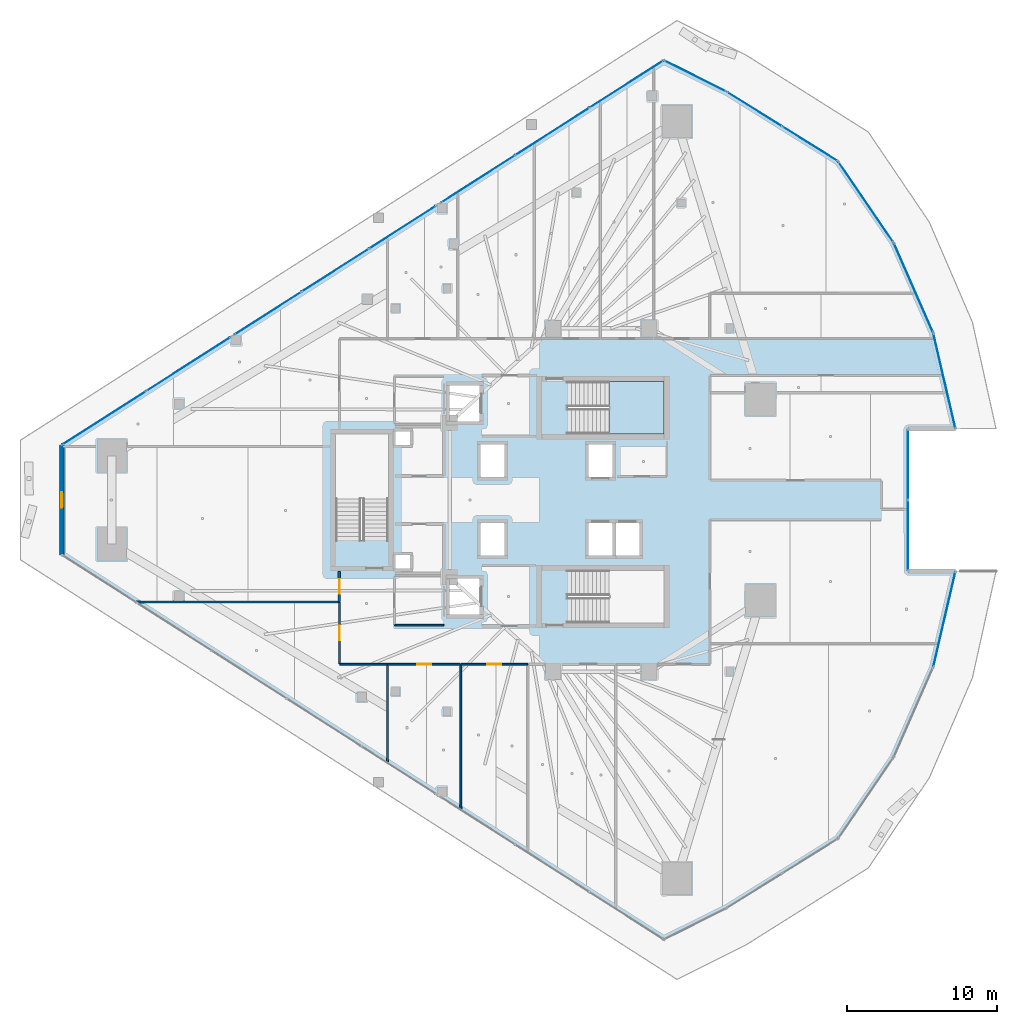
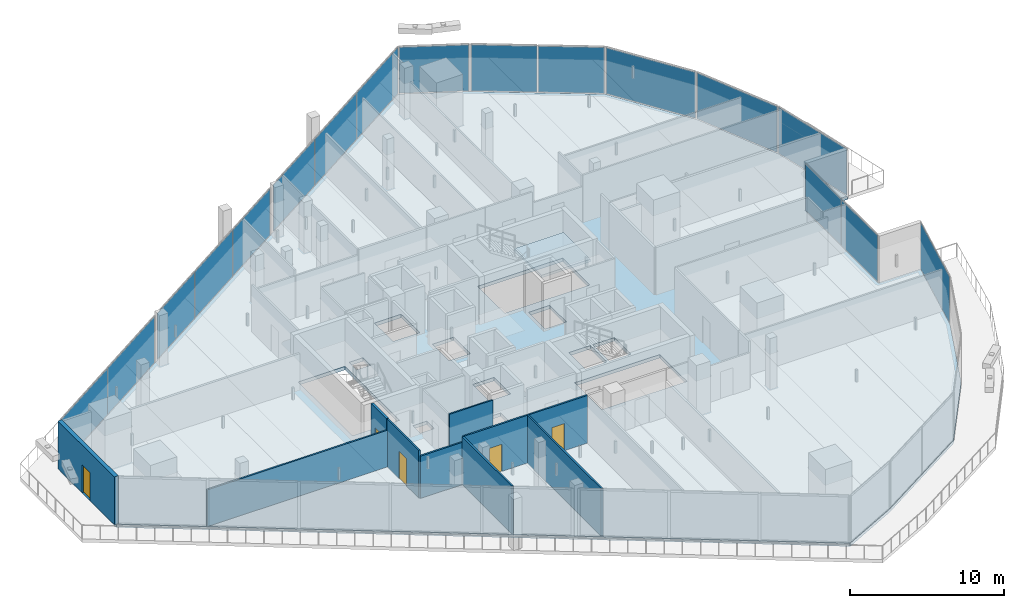
# One storey, part 25 of 39: 17 plates, 10 walls, 5 doors, 2 slabs, 5 openings, 11 elements without a shape of their own.
"""IFC4 building model written with IfcOpenShell, lengths in metres."""

from ifc_helpers import new_model, si_unit, direction, frame, frame_2d, origin, origin_2d, place, context, subcontext, project, spatial, polyline, rectangle, outline, extrude, material, layer, layer_set, type_object, element, fill, aggregate, save


model = new_model("IFC4")

# Units and contexts
model_context = context("Model", 3, precision=1e-05, world=origin(), true_north=direction((0.0, 1.0)))
body_context = subcontext(model_context, "Body", "Model", "MODEL_VIEW")
ifc_project = project(units=[si_unit("LENGTHUNIT", "METRE"), si_unit("AREAUNIT", "SQUARE_METRE"), si_unit("VOLUMEUNIT", "CUBIC_METRE"), si_unit("PLANEANGLEUNIT", "RADIAN"), si_unit("MASSUNIT", "GRAM", prefix="KILO")], contexts=[model_context])

# Site, building, storey
site_placement = place(None, origin())
site = spatial("IfcSite", under=ifc_project, at=site_placement, CompositionType="ELEMENT")
building_placement = place(site_placement, origin())
building = spatial("IfcBuilding", under=site, at=building_placement, Name="Qorvath Tower", CompositionType="ELEMENT")
storey_placement = place(building_placement, frame((0.0, 0.0, 162.449951171875)))
storey = spatial("IfcBuildingStorey", under=building, at=storey_placement, Name="L37", CompositionType="ELEMENT", Elevation=162.449951171875)

# Curtain wall, plate
ifc_material_1 = material(Name="Anodised aluminium and triple low-E glass", Category="aluminium")
ifc_layer_1 = layer(ifc_material_1, 0.179931640625)
ifc_layer_set_1 = layer_set([ifc_layer_1], Name="CW-SYS-3")
curtain_wall_type = type_object("IfcCurtainWallType", Name="CW-SYS-3", PredefinedType="NOTDEFINED", material=ifc_layer_set_1)
curtain_wall_1_placement = place(storey_placement, origin())
curtain_wall_1 = element("IfcCurtainWall", 1, at=curtain_wall_1_placement, inside=storey, type_object=curtain_wall_type, Name="Curtain Wall CW-3 CW-T-L37-7.1", PredefinedType="NOTDEFINED")
ifc_material_2 = material(Name="Low-E triple insulated glass", Category="glass")
ifc_layer_2 = layer(ifc_material_2, 0.031982421875)
ifc_layer_set_2 = layer_set([ifc_layer_2], Name="CWP-GLZ-32")
plate_type = type_object("IfcPlateType", Name="CWP-GLZ-32", PredefinedType="CURTAIN_PANEL", material=ifc_layer_set_2)
plate_1_placement = place(storey_placement, frame((2.50439453125, -7.95263671875, 0.065185546875), z_axis=(0.0, 0.0, 1.0), x_axis=(0.225758614319, 0.974183272316, 0.0)))
plate_1 = element("IfcPlate", 2, at=plate_1_placement, type_object=plate_type, Name="CW-3 panel 1.1", PredefinedType="CURTAIN_PANEL", context=body_context, shape_type="SweptSolid", body=[
    extrude(rectangle(XDim=6.440673828125, YDim=0.031982421875, at=origin_2d()), origin(), (0.0, 0.0, 1.0), 3.64990234375),
])
aggregate(curtain_wall_1, [plate_1])

# Curtain wall, plates
curtain_wall_2_placement = place(storey_placement, origin())
curtain_wall_2 = element("IfcCurtainWall", 3, at=curtain_wall_2_placement, inside=storey, type_object=curtain_wall_type, Name="Curtain Wall CW-3 CW-T-L37-9.1", PredefinedType="NOTDEFINED")
plate_2_placement = place(storey_placement, frame((0.077880859375, -2.35986328125, 0.065185546875), z_axis=(0.0, 0.0, 1.0), x_axis=(0.0, 1.0, 0.0)))
plate_2 = element("IfcPlate", 4, at=plate_2_placement, type_object=plate_type, Name="CW-3 panel 1.1", PredefinedType="CURTAIN_PANEL", context=body_context, shape_type="SweptSolid", body=[
    extrude(rectangle(XDim=4.654541015625, YDim=0.031982421875, at=origin_2d()), origin(), (0.0, 0.0, 1.0), 3.64990234375),
])
plate_3_placement = place(storey_placement, frame((0.077880859375, 2.35986328125, 0.065185546875), z_axis=(0.0, 0.0, 1.0), x_axis=(0.0, 1.0, 0.0)))
plate_3 = element("IfcPlate", 5, at=plate_3_placement, type_object=plate_type, Name="CW-3 panel 2.1", PredefinedType="CURTAIN_PANEL", context=body_context, shape_type="SweptSolid", body=[
    extrude(rectangle(XDim=4.654541015625, YDim=0.031982421875, at=origin_2d()), origin(), (0.0, 0.0, 1.0), 3.64990234375),
])
aggregate(curtain_wall_2, [plate_2, plate_3])

# Curtain wall, plate
curtain_wall_3_placement = place(storey_placement, origin())
curtain_wall_3 = element("IfcCurtainWall", 6, at=curtain_wall_3_placement, inside=storey, type_object=curtain_wall_type, Name="Curtain Wall CW-3 CW-T-L37-11.1", PredefinedType="NOTDEFINED")
plate_4_placement = place(storey_placement, frame((2.50439453125, 7.95263671875, 0.065185546875), z_axis=(0.0, 0.0, 1.0), x_axis=(-0.225758614319, 0.974183272316, 0.0)))
plate_4 = element("IfcPlate", 7, at=plate_4_placement, type_object=plate_type, Name="CW-3 panel 1.1", PredefinedType="CURTAIN_PANEL", context=body_context, shape_type="SweptSolid", body=[
    extrude(rectangle(XDim=6.440673828125, YDim=0.031982421875, at=origin_2d()), origin(), (0.0, 0.0, 1.0), 3.64990234375),
])
aggregate(curtain_wall_3, [plate_4])

curtain_wall_4_placement = place(storey_placement, origin())
curtain_wall_4 = element("IfcCurtainWall", 8, at=curtain_wall_4_placement, inside=storey, type_object=curtain_wall_type, Name="Curtain Wall CW-3 CW-T-L37-12.1", PredefinedType="NOTDEFINED")
plate_5_placement = place(storey_placement, frame((0.442138671875, 14.161376953125, 0.065185546875), z_axis=(0.0, 0.0, 1.0), x_axis=(-0.401947425802, 0.915662747354, 0.0)))
plate_5 = element("IfcPlate", 9, at=plate_5_placement, type_object=plate_type, Name="CW-3 panel 1.1", PredefinedType="CURTAIN_PANEL", context=body_context, shape_type="SweptSolid", body=[
    extrude(rectangle(XDim=6.440673828125, YDim=0.031982421875, at=origin_2d()), origin(), (0.0, 0.0, 1.0), 3.64990234375),
])
aggregate(curtain_wall_4, [plate_5])

curtain_wall_5_placement = place(storey_placement, origin())
curtain_wall_5 = element("IfcCurtainWall", 10, at=curtain_wall_5_placement, inside=storey, type_object=curtain_wall_type, Name="Curtain Wall CW-3 CW-T-L37-13.1", PredefinedType="NOTDEFINED")
plate_6_placement = place(storey_placement, frame((-2.732421875, 19.8818359375, 0.065185546875), z_axis=(0.0, 0.0, 1.0), x_axis=(-0.564314480802, 0.825559911065, 0.0)))
plate_6 = element("IfcPlate", 11, at=plate_6_placement, type_object=plate_type, Name="CW-3 panel 1.1", PredefinedType="CURTAIN_PANEL", context=body_context, shape_type="SweptSolid", body=[
    extrude(rectangle(XDim=6.4404296875, YDim=0.031982421875, at=origin_2d()), origin(), (0.0, 0.0, 1.0), 3.64990234375),
])
aggregate(curtain_wall_5, [plate_6])

# Curtain wall, plates
curtain_wall_6_placement = place(storey_placement, origin())
curtain_wall_6 = element("IfcCurtainWall", 12, at=curtain_wall_6_placement, inside=storey, type_object=curtain_wall_type, Name="Curtain Wall CW-3 CW-T-L37-14.1", PredefinedType="NOTDEFINED")
plate_7_placement = place(storey_placement, frame((-6.461181640625, 23.763916015625, 0.065185546875), z_axis=(0.0, 0.0, 1.0), x_axis=(-0.848382203803, 0.52938420478, 0.0)))
plate_7 = element("IfcPlate", 13, at=plate_7_placement, type_object=plate_type, Name="CW-3 panel 1.1", PredefinedType="CURTAIN_PANEL", context=body_context, shape_type="SweptSolid", body=[
    extrude(rectangle(XDim=4.2900390625, YDim=0.031982421875, at=origin_2d()), origin(), (0.0, 0.0, 1.0), 3.64990234375),
])
plate_8_placement = place(storey_placement, frame((-10.156005859375, 26.069580078125, 0.065185546875), z_axis=(0.0, 0.0, 1.0), x_axis=(-0.848382203803, 0.52938420478, 0.0)))
plate_8 = element("IfcPlate", 14, at=plate_8_placement, type_object=plate_type, Name="CW-3 panel 2.1", PredefinedType="CURTAIN_PANEL", context=body_context, shape_type="SweptSolid", body=[
    extrude(rectangle(XDim=4.2900390625, YDim=0.031982421875, at=origin_2d()), origin(), (0.0, 0.0, 1.0), 3.64990234375),
])
aggregate(curtain_wall_6, [plate_7, plate_8])

# Curtain wall, plate
curtain_wall_7_placement = place(storey_placement, origin())
curtain_wall_7 = element("IfcCurtainWall", 15, at=curtain_wall_7_placement, inside=storey, type_object=curtain_wall_type, Name="Curtain Wall CW-3 CW-T-L37-15.1", PredefinedType="NOTDEFINED")
plate_9_placement = place(storey_placement, frame((-14.12646484375, 28.287109375, 0.065185546875), z_axis=(0.0, 0.0, 1.0), x_axis=(-0.894439996707, 0.447187983169, 0.0)))
plate_9 = element("IfcPlate", 16, at=plate_9_placement, type_object=plate_type, Name="CW-3 panel 1.1", PredefinedType="CURTAIN_PANEL", context=body_context, shape_type="SweptSolid", body=[
    extrude(rectangle(XDim=4.55517578125, YDim=0.031982421875, at=origin_2d()), origin(), (0.0, 0.0, 1.0), 3.64990234375),
])
aggregate(curtain_wall_7, [plate_9])

# Curtain wall, plates
curtain_wall_8_placement = place(storey_placement, origin())
curtain_wall_8 = element("IfcCurtainWall", 17, at=curtain_wall_8_placement, inside=storey, type_object=curtain_wall_type, Name="Curtain Wall CW-3 CW-T-L37-16.1", PredefinedType="NOTDEFINED")
plate_10_placement = place(storey_placement, frame((-18.7138671875, 27.741943359375, 0.065185546875), z_axis=(0.0, 0.0, 1.0), x_axis=(-0.842600128752, -0.53853971351, 0.0)))
plate_10 = element("IfcPlate", 18, at=plate_10_placement, type_object=plate_type, Name="CW-3 panel 1.1", PredefinedType="CURTAIN_PANEL", context=body_context, shape_type="SweptSolid", body=[
    extrude(rectangle(XDim=5.785400390625, YDim=0.031982421875, at=origin_2d()), origin(), (0.0, 0.0, 1.0), 3.64990234375),
])
plate_11_placement = place(storey_placement, frame((-23.656982421875, 24.58251953125, 0.065185546875), z_axis=(0.0, 0.0, 1.0), x_axis=(-0.842600128752, -0.53853971351, 0.0)))
plate_11 = element("IfcPlate", 19, at=plate_11_placement, type_object=plate_type, Name="CW-3 panel 2.1", PredefinedType="CURTAIN_PANEL", context=body_context, shape_type="SweptSolid", body=[
    extrude(rectangle(XDim=5.81787109375, YDim=0.031982421875, at=origin_2d()), origin(), (0.0, 0.0, 1.0), 3.64990234375),
])
plate_12_placement = place(storey_placement, frame((-28.60009765625, 21.423095703125, 0.065185546875), z_axis=(0.0, 0.0, 1.0), x_axis=(-0.842600128752, -0.53853971351, 0.0)))
plate_12 = element("IfcPlate", 20, at=plate_12_placement, type_object=plate_type, Name="CW-3 panel 3.1", PredefinedType="CURTAIN_PANEL", context=body_context, shape_type="SweptSolid", body=[
    extrude(rectangle(XDim=5.785400390625, YDim=0.031982421875, at=origin_2d()), origin(), (0.0, 0.0, 1.0), 3.64990234375),
])
aggregate(curtain_wall_8, [plate_10, plate_11, plate_12])

curtain_wall_9_placement = place(storey_placement, origin())
curtain_wall_9 = element("IfcCurtainWall", 21, at=curtain_wall_9_placement, inside=storey, type_object=curtain_wall_type, Name="Curtain Wall CW-3 CW-T-L37-16.2", PredefinedType="NOTDEFINED")
plate_13_placement = place(storey_placement, frame((-33.647705078125, 18.197021484375, 0.065185546875), z_axis=(0.0, 0.0, 1.0), x_axis=(-0.842600271273, -0.53853949052, 0.0)))
plate_13 = element("IfcPlate", 22, at=plate_13_placement, type_object=plate_type, Name="CW-3 panel 1.1", PredefinedType="CURTAIN_PANEL", context=body_context, shape_type="SweptSolid", body=[
    extrude(rectangle(XDim=5.23828125, YDim=0.031982421875, at=origin_2d()), origin(), (0.0, 0.0, 1.0), 3.64990234375),
])
plate_14_placement = place(storey_placement, frame((-38.129638671875, 15.33251953125, 0.065185546875), z_axis=(0.0, 0.0, 1.0), x_axis=(-0.842600271273, -0.53853949052, 0.0)))
plate_14 = element("IfcPlate", 23, at=plate_14_placement, type_object=plate_type, Name="CW-3 panel 2.1", PredefinedType="CURTAIN_PANEL", context=body_context, shape_type="SweptSolid", body=[
    extrude(rectangle(XDim=5.270751953125, YDim=0.031982421875, at=origin_2d()), origin(), (0.0, 0.0, 1.0), 3.64990234375),
])
plate_15_placement = place(storey_placement, frame((-42.61181640625, 12.4677734375, 0.065185546875), z_axis=(0.0, 0.0, 1.0), x_axis=(-0.842600271273, -0.53853949052, 0.0)))
plate_15 = element("IfcPlate", 24, at=plate_15_placement, type_object=plate_type, Name="CW-3 panel 3.1", PredefinedType="CURTAIN_PANEL", context=body_context, shape_type="SweptSolid", body=[
    extrude(rectangle(XDim=5.23828125, YDim=0.031982421875, at=origin_2d()), origin(), (0.0, 0.0, 1.0), 3.64990234375),
])
aggregate(curtain_wall_9, [plate_13, plate_14, plate_15])

curtain_wall_10_placement = place(storey_placement, origin())
curtain_wall_10 = element("IfcCurtainWall", 25, at=curtain_wall_10_placement, inside=storey, type_object=curtain_wall_type, Name="Curtain Wall CW-3 CW-T-L37-16.3", PredefinedType="NOTDEFINED")
plate_16_placement = place(storey_placement, frame((-47.93896484375, 9.06298828125, 0.065185546875), z_axis=(0.0, 0.0, 1.0), x_axis=(-0.84260725382, -0.538528565454, 0.0)))
plate_16 = element("IfcPlate", 26, at=plate_16_placement, type_object=plate_type, Name="CW-3 panel 1.1", PredefinedType="CURTAIN_PANEL", context=body_context, shape_type="SweptSolid", body=[
    extrude(rectangle(XDim=6.59375, YDim=0.031982421875, at=origin_2d()), origin(), (0.0, 0.0, 1.0), 3.64990234375),
])
plate_17_placement = place(storey_placement, frame((-53.549560546875, 5.47705078125, 0.065185546875), z_axis=(0.0, 0.0, 1.0), x_axis=(-0.84260725382, -0.538528565454, 0.0)))
plate_17 = element("IfcPlate", 27, at=plate_17_placement, type_object=plate_type, Name="CW-3 panel 2.1", PredefinedType="CURTAIN_PANEL", context=body_context, shape_type="SweptSolid", body=[
    extrude(rectangle(XDim=6.59375, YDim=0.031982421875, at=origin_2d()), origin(), (0.0, 0.0, 1.0), 3.64990234375),
])
aggregate(curtain_wall_10, [plate_16, plate_17])

# Stair, slab
ifc_material_3 = material(Name="Concrete C50/60", Category="concrete")
stair_type = type_object("IfcStairType", Name="ST-H405", PredefinedType="HALF_TURN_STAIR", material=ifc_material_3)
stair_placement = place(storey_placement, origin())
stair = element("IfcStair", 28, at=stair_placement, inside=storey, type_object=stair_type, Name="L37 Tower Exit Stair 1", PredefinedType="HALF_TURN_STAIR")
ifc_material_4 = material(Name="Concrete C50/60", Category="concrete")
ifc_layer_3 = layer(ifc_material_4, 0.199951171875)
ifc_layer_set_3 = layer_set([ifc_layer_3], Name="SL-LND-200")
slab_type_1 = type_object("IfcSlabType", Name="SL-LND-200", PredefinedType="LANDING", material=ifc_layer_set_3)
slab_1_placement = place(storey_placement, frame((0.0, 0.0, 1.824951171875)))
slab_1 = element("IfcSlab", 29, at=slab_1_placement, type_object=slab_type_1, Name="TS1 landing 1", PredefinedType="LANDING", context=body_context, shape_type="SweptSolid", body=[
    extrude(outline(polyline([(-19.8701171875, 4.39990234375), (-16.199951171875, 4.39990234375), (-16.199951171875, 7.909912109375), (-19.8701171875, 7.909912109375), (-19.8701171875, 4.39990234375)])), origin(), (0.0, 0.0, 1.0), 0.2001953125),
])
aggregate(stair, [slab_1])

# Slab
ifc_material_5 = material(Name="Concrete C45/55", Category="concrete")
ifc_layer_4 = layer(ifc_material_5, 0.27001953125)
ifc_layer_set_4 = layer_set([ifc_layer_4], Name="SL-MID-270")
slab_type_2 = type_object("IfcSlabType", Name="SL-MID-270", PredefinedType="FLOOR", material=ifc_layer_set_4)
slab_2_placement = place(storey_placement, frame((0.0, 0.0, -0.27001953125)))
element("IfcSlab", 30, at=slab_2_placement, inside=storey, type_object=slab_type_2, Name="Tower L37 Interior Floor Slab", PredefinedType="FLOOR", context=body_context, shape_type="SweptSolid", body=[
    extrude(outline(polyline([(-56.38232421875, 3.666748046875), (-56.38232421875, -3.666748046875), (-16.2216796875, -29.334716796875), (-12.031005859375, -27.239501953125), (-4.586181640625, -22.593994140625), (-0.87841796875, -17.169677734375), (1.7626953125, -11.153076171875), (3.24609375, -4.751953125), (0.077880859375, -4.751953125), (0.077880859375, 4.751953125), (3.24609375, 4.751953125), (1.7626953125, 11.153076171875), (-0.87841796875, 17.169677734375), (-4.586181640625, 22.593994140625), (-12.031005859375, 27.239501953125), (-16.2216796875, 29.334716796875), (-56.38232421875, 3.666748046875)]), holes=[polyline([(-16.2451171875, -8.199951171875), (-22.625, -8.199951171875), (-22.625, -4.68994140625), (-16.2451171875, -4.68994140625), (-16.2451171875, -8.199951171875)]), polyline([(-22.625, 4.39990234375), (-22.625, 7.909912109375), (-16.2451171875, 7.909912109375), (-16.2451171875, 4.39990234375), (-22.625, 4.39990234375)]), polyline([(-17.85009765625, -3.699951171875), (-19.449951171875, -3.699951171875), (-19.449951171875, -1.550048828125), (-17.85009765625, -1.550048828125), (-17.85009765625, -3.699951171875)]), polyline([(-21.25, -3.699951171875), (-21.25, -1.550048828125), (-19.64990234375, -1.550048828125), (-19.64990234375, -3.699951171875), (-21.25, -3.699951171875)]), polyline([(-21.25, 1.550048828125), (-21.25, 3.699951171875), (-19.64990234375, 3.699951171875), (-19.64990234375, 1.550048828125), (-21.25, 1.550048828125)]), polyline([(-28.449951171875, -3.699951171875), (-28.449951171875, -1.550048828125), (-26.85009765625, -1.550048828125), (-26.85009765625, -3.699951171875), (-28.449951171875, -3.699951171875)]), polyline([(-26.85009765625, 1.550048828125), (-28.449951171875, 1.550048828125), (-28.449951171875, 3.699951171875), (-26.85009765625, 3.699951171875), (-26.85009765625, 1.550048828125)]), polyline([(-28.5, -7.64990234375), (-30.5, -7.64990234375), (-30.5, -5.25), (-28.5, -5.25), (-28.5, -7.64990234375)]), polyline([(-30.5, 5.25), (-30.5, 7.64990234375), (-28.5, 7.64990234375), (-28.5, 5.25), (-30.5, 5.25)]), polyline([(-34.14990234375, -4.6201171875), (-34.14990234375, -3.64990234375), (-33.10009765625, -3.64990234375), (-33.10009765625, -4.6201171875), (-34.14990234375, -4.6201171875)]), polyline([(-34.14990234375, 3.64990234375), (-34.14990234375, 4.6201171875), (-33.10009765625, 4.6201171875), (-33.10009765625, 3.64990234375), (-34.14990234375, 3.64990234375)]), polyline([(-34.60009765625, -2.675048828125), (-38.110107421875, -2.675048828125), (-38.110107421875, 4.35498046875), (-34.60009765625, 4.35498046875), (-34.60009765625, -2.675048828125)])]), origin(), (0.0, 0.0, 1.0), 0.27001953125),
])

# Wall, opening, door
ifc_material_6 = material(Name="Double acoustic gypsum board on steel studs", Category="steel")
ifc_layer_5 = layer(ifc_material_6, 0.159912109375)
ifc_layer_set_5 = layer_set([ifc_layer_5], Name="IW-ACOUSTIC-160")
wall_type_1 = type_object("IfcWallType", Name="IW-ACOUSTIC-160", PredefinedType="PARTITIONING", material=ifc_layer_set_5)
wall_1_placement = place(storey_placement, frame((-37.85791015625, -6.7685546875, 0.0), z_axis=(0.0, 0.0, 1.0), x_axis=(0.0, 1.0, 0.0)))
wall_1 = element("IfcWall", 31, at=wall_1_placement, inside=storey, type_object=wall_type_1, Name="Interior Partition IW-T1-L37-061", PredefinedType="PARTITIONING", context=body_context, shape_type="SweptSolid", body=[
    extrude(rectangle(XDim=1.9853515625, YDim=0.159912109375, at=frame_2d((0.99267578125, 0.0))), origin(), (0.0, 0.0, 1.0), 3.780029296875),
])
opening_1_placement = place(wall_1_placement, frame((0.517578125, 0.0, 0.0)))
opening_1 = element("IfcOpeningElement", 32, at=opening_1_placement, cuts=wall_1, Name="Opening D-T1-L37-19", PredefinedType="OPENING", context=body_context, shape_type="SweptSolid", body=[
    extrude(rectangle(XDim=0.949951171875, YDim=2.14990234375, at=frame_2d((0.47509765625, 1.074951171875))), frame((0.0, 0.08984375, 0.0), z_axis=(0.0, -1.0, 0.0), x_axis=(1.0, 0.0, 0.0)), (0.0, 0.0, 1.0), 0.179931640625),
])
ifc_material_7 = material(Name="Solid-core American white oak veneer", Category="wood")
door_type_1 = type_object("IfcDoorType", Name="D-01", OperationType="NOTDEFINED", PredefinedType="DOOR", material=ifc_material_7)
door_1_placement = place(opening_1_placement, origin())
door_1 = element("IfcDoor", 33, at=door_1_placement, inside=storey, type_object=door_type_1, Name="L37-14 Staff Wellness Studio Door D-T1-L37-19", OperationType="SINGLE_SWING_RIGHT", OverallHeight=2.14990234375, OverallWidth=0.949951171875, PredefinedType="DOOR", context=body_context, shape_type="SweptSolid", body=[
    extrude(rectangle(XDim=0.949951171875, YDim=2.14990234375, at=frame_2d((0.47509765625, 1.074951171875))), frame((0.0, 0.02490234375, 0.0), z_axis=(0.0, -1.0, 0.0), x_axis=(1.0, 0.0, 0.0)), (0.0, 0.0, 1.0), 0.050048828125),
])
fill(opening_1, door_1)

# Wall
ifc_material_8 = material(Name="Gypsum board on metal studs with mineral wool", Category="gypsum")
ifc_layer_6 = layer(ifc_material_8, 0.125)
ifc_layer_set_6 = layer_set([ifc_layer_6], Name="IW-PART-125")
wall_type_2 = type_object("IfcWallType", Name="IW-PART-125", PredefinedType="PARTITIONING", material=ifc_layer_set_6)
wall_2_placement = place(storey_placement, frame((-29.7646484375, -20.59912109375, 0.0), z_axis=(0.0, 0.0, 1.0), x_axis=(0.0, 1.0, 0.0)))
element("IfcWall", 34, at=wall_2_placement, inside=storey, type_object=wall_type_2, Name="Interior Partition IW-T1-L37-035", PredefinedType="PARTITIONING", context=body_context, shape_type="SweptSolid", body=[
    extrude(rectangle(XDim=9.6162109375, YDim=0.125, at=frame_2d((4.80810546875, 0.0))), origin(), (0.0, 0.0, 1.0), 3.780029296875),
])

# Wall, opening, door
wall_3_placement = place(storey_placement, frame((-29.78955078125, -10.9580078125, 0.0), z_axis=(0.0, 0.0, 1.0), x_axis=(-1.0, 0.0, 0.0)))
wall_3 = element("IfcWall", 35, at=wall_3_placement, inside=storey, type_object=wall_type_2, Name="Interior Partition IW-T1-L37-036", PredefinedType="PARTITIONING", context=body_context, shape_type="SweptSolid", body=[
    extrude(rectangle(XDim=4.83544921875, YDim=0.125, at=frame_2d((2.417724609375, 0.0))), origin(), (0.0, 0.0, 1.0), 3.780029296875),
])
opening_2_placement = place(wall_3_placement, frame((1.942626953125, 0.0, 0.0)))
opening_2 = element("IfcOpeningElement", 36, at=opening_2_placement, cuts=wall_3, Name="Opening D-T1-L37-11", PredefinedType="OPENING", context=body_context, shape_type="SweptSolid", body=[
    extrude(rectangle(XDim=0.949951171875, YDim=2.14990234375, at=frame_2d((0.47509765625, 1.074951171875))), frame((0.0, 0.072509765625, 0.0), z_axis=(0.0, -1.0, 0.0), x_axis=(1.0, 0.0, 0.0)), (0.0, 0.0, 1.0), 0.14501953125),
])
door_2_placement = place(opening_2_placement, origin())
door_2 = element("IfcDoor", 37, at=door_2_placement, inside=storey, type_object=door_type_1, Name="L37-06 Executive Partner Office Door D-T1-L37-11", OperationType="SINGLE_SWING_RIGHT", OverallHeight=2.14990234375, OverallWidth=0.949951171875, PredefinedType="DOOR", context=body_context, shape_type="SweptSolid", body=[
    extrude(rectangle(XDim=0.949951171875, YDim=2.14990234375, at=frame_2d((0.47509765625, 1.074951171875))), frame((0.0, 0.02490234375, 0.0), z_axis=(0.0, -1.0, 0.0), x_axis=(1.0, 0.0, 0.0)), (0.0, 0.0, 1.0), 0.050048828125),
])
fill(opening_2, door_2)

# Wall
wall_4_placement = place(storey_placement, frame((-34.64990234375, -10.98291015625, 0.0), z_axis=(0.0, 0.0, 1.0), x_axis=(0.0, -1.0, 0.0)))
element("IfcWall", 38, at=wall_4_placement, inside=storey, type_object=wall_type_2, Name="Interior Partition IW-T1-L37-037", PredefinedType="PARTITIONING", context=body_context, shape_type="SweptSolid", body=[
    extrude(rectangle(XDim=6.493896484375, YDim=0.125, at=frame_2d((3.2470703125, 0.0))), origin(), (0.0, 0.0, 1.0), 3.780029296875),
])

# Wall, opening, door
wall_5_placement = place(storey_placement, frame((-25.310791015625, -10.9580078125, 0.0), z_axis=(0.0, 0.0, 1.0), x_axis=(-1.0, 0.0, 0.0)))
wall_5 = element("IfcWall", 39, at=wall_5_placement, inside=storey, type_object=wall_type_2, Name="Interior Partition IW-T1-L37-039", PredefinedType="PARTITIONING", context=body_context, shape_type="SweptSolid", body=[
    extrude(rectangle(XDim=4.4208984375, YDim=0.125, at=frame_2d((2.21044921875, 0.0))), origin(), (0.0, 0.0, 1.0), 3.780029296875),
])
opening_3_placement = place(wall_5_placement, frame((1.7353515625, 0.0, 0.0)))
opening_3 = element("IfcOpeningElement", 40, at=opening_3_placement, cuts=wall_5, Name="Opening D-T1-L37-12", PredefinedType="OPENING", context=body_context, shape_type="SweptSolid", body=[
    extrude(rectangle(XDim=0.949951171875, YDim=2.14990234375, at=frame_2d((0.47509765625, 1.074951171875))), frame((0.0, 0.072509765625, 0.0), z_axis=(0.0, -1.0, 0.0), x_axis=(1.0, 0.0, 0.0)), (0.0, 0.0, 1.0), 0.14501953125),
])
door_3_placement = place(opening_3_placement, origin())
door_3 = element("IfcDoor", 41, at=door_3_placement, inside=storey, type_object=door_type_1, Name="L37-07 Breakout Reading Alcove Door D-T1-L37-12", OperationType="SINGLE_SWING_LEFT", OverallHeight=2.14990234375, OverallWidth=0.949951171875, PredefinedType="DOOR", context=body_context, shape_type="SweptSolid", body=[
    extrude(rectangle(XDim=0.949951171875, YDim=2.14990234375, at=frame_2d((0.47509765625, 1.074951171875))), frame((0.0, 0.02490234375, 0.0), z_axis=(0.0, -1.0, 0.0), x_axis=(1.0, 0.0, 0.0)), (0.0, 0.0, 1.0), 0.050048828125),
])
fill(opening_3, door_3)

# Wall
wall_6_placement = place(storey_placement, frame((-37.8330078125, -10.9580078125, 0.0), z_axis=(0.0, 0.0, 1.0), x_axis=(1.0, 0.0, 0.0)))
element("IfcWall", 42, at=wall_6_placement, inside=storey, type_object=wall_type_2, Name="Interior Partition IW-T1-L37-058", PredefinedType="PARTITIONING", context=body_context, shape_type="SweptSolid", body=[
    extrude(rectangle(XDim=3.14990234375, YDim=0.125, at=frame_2d((1.574951171875, 0.0))), origin(), (0.0, 0.0, 1.0), 3.34423828125),
])

# Wall, opening, door
wall_7_placement = place(storey_placement, frame((-37.85791015625, -10.93310546875, 0.0), z_axis=(0.0, 0.0, 1.0), x_axis=(0.0, 1.0, 0.0)))
wall_7 = element("IfcWall", 43, at=wall_7_placement, inside=storey, type_object=wall_type_2, Name="Interior Partition IW-T1-L37-059", PredefinedType="PARTITIONING", context=body_context, shape_type="SweptSolid", body=[
    extrude(rectangle(XDim=4.106689453125, YDim=0.125, at=frame_2d((2.05322265625, 0.0))), origin(), (0.0, 0.0, 1.0), 3.780029296875),
])
opening_4_placement = place(wall_7_placement, frame((1.578369140625, 0.0, 0.0)))
opening_4 = element("IfcOpeningElement", 44, at=opening_4_placement, cuts=wall_7, Name="Opening D-T1-L37-18", PredefinedType="OPENING", context=body_context, shape_type="SweptSolid", body=[
    extrude(rectangle(XDim=0.949951171875, YDim=2.14990234375, at=frame_2d((0.47509765625, 1.074951171875))), frame((0.0, 0.072509765625, 0.0), z_axis=(0.0, -1.0, 0.0), x_axis=(1.0, 0.0, 0.0)), (0.0, 0.0, 1.0), 0.14501953125),
])
door_4_placement = place(opening_4_placement, origin())
door_4 = element("IfcDoor", 45, at=door_4_placement, inside=storey, type_object=door_type_1, Name="L37-13 Project Collaboration Workspace Door D-T1-L37-18", OperationType="SINGLE_SWING_LEFT", OverallHeight=2.14990234375, OverallWidth=0.949951171875, PredefinedType="DOOR", context=body_context, shape_type="SweptSolid", body=[
    extrude(rectangle(XDim=0.949951171875, YDim=2.14990234375, at=frame_2d((0.47509765625, 1.074951171875))), frame((0.0, 0.02490234375, 0.0), z_axis=(0.0, -1.0, 0.0), x_axis=(1.0, 0.0, 0.0)), (0.0, 0.0, 1.0), 0.050048828125),
])
fill(opening_4, door_4)

# Walls
wall_8_placement = place(storey_placement, frame((-37.8828125, -6.801513671875, 0.0), z_axis=(0.0, 0.0, 1.0), x_axis=(-1.0, 0.0, 0.0)))
element("IfcWall", 46, at=wall_8_placement, inside=storey, type_object=wall_type_2, Name="Interior Partition IW-T1-L37-060", PredefinedType="PARTITIONING", context=body_context, shape_type="SweptSolid", body=[
    extrude(rectangle(XDim=13.514892578125, YDim=0.125, at=frame_2d((6.75732421875, 0.0))), origin(), (0.0, 0.0, 1.0), 2.89990234375),
])
ifc_material_9 = material(Name="Moisture-resistant cement board on metal studs", Category="gypsum")
ifc_layer_7 = layer(ifc_material_9, 0.110107421875)
ifc_layer_set_7 = layer_set([ifc_layer_7], Name="IW-WC-110")
wall_type_3 = type_object("IfcWallType", Name="IW-WC-110", PredefinedType="PARTITIONING", material=ifc_layer_set_7)
wall_9_placement = place(storey_placement, frame((-34.15478515625, -8.35009765625, 0.0), z_axis=(0.0, 0.0, 1.0), x_axis=(1.0, 0.0, 0.0)))
element("IfcWall", 47, at=wall_9_placement, inside=storey, type_object=wall_type_3, Name="Interior Partition IW-T1-L37-009", PredefinedType="PARTITIONING", context=body_context, shape_type="SweptSolid", body=[
    extrude(rectangle(XDim=3.25, YDim=0.110107421875, at=frame_2d((1.625, 0.0))), origin(), (0.0, 0.0, 1.0), 3.780029296875),
])

# Wall, opening, door
ifc_material_10 = material(Name="Precast concrete C45/55", Category="concrete")
ifc_layer_8 = layer(ifc_material_10, 0.300048828125)
ifc_layer_set_8 = layer_set([ifc_layer_8], Name="WL-EW-LOG-300")
wall_type_4 = type_object("IfcWallType", Name="WL-EW-LOG-300", PredefinedType="SOLIDWALL", material=ifc_layer_set_8)
wall_10_placement = place(storey_placement, frame((-56.38232421875, -3.666748046875, 0.0), z_axis=(0.0, 0.0, 1.0), x_axis=(0.0, 1.0, 0.0)))
wall_10 = element("IfcWall", 48, at=wall_10_placement, inside=storey, type_object=wall_type_4, Name="Tower Precast Loggia Wall L37-1.1", PredefinedType="SOLIDWALL", context=body_context, shape_type="SweptSolid", body=[
    extrude(rectangle(XDim=7.33349609375, YDim=0.300048828125, at=frame_2d((3.666748046875, 0.0))), origin(), (0.0, 0.0, 1.0), 3.780029296875),
])
opening_5_placement = place(wall_10_placement, frame((3.1416015625, 0.0, 0.0)))
opening_5 = element("IfcOpeningElement", 49, at=opening_5_placement, cuts=wall_10, Name="Opening ED-L37-01", PredefinedType="OPENING", context=body_context, shape_type="SweptSolid", body=[
    extrude(rectangle(XDim=1.050048828125, YDim=2.199951171875, at=frame_2d((0.52490234375, 1.10009765625))), frame((0.0, 0.16015625, 0.0), z_axis=(0.0, -1.0, 0.0), x_axis=(1.0, 0.0, 0.0)), (0.0, 0.0, 1.0), 0.320068359375),
])
ifc_material_11 = material(Name="Thermally broken aluminium glazed door", Category="aluminium")
door_type_2 = type_object("IfcDoorType", Name="ED-LOG", OperationType="NOTDEFINED", PredefinedType="DOOR", material=ifc_material_11)
door_5_placement = place(opening_5_placement, origin())
door_5 = element("IfcDoor", 50, at=door_5_placement, inside=storey, type_object=door_type_2, Name="L37 Recessed Loggia Access Door 1", OperationType="SINGLE_SWING_LEFT", OverallHeight=2.199951171875, OverallWidth=1.050048828125, PredefinedType="DOOR", context=body_context, shape_type="SweptSolid", body=[
    extrude(rectangle(XDim=1.050048828125, YDim=2.199951171875, at=frame_2d((0.52490234375, 1.10009765625))), frame((0.0, 0.02490234375, 0.0), z_axis=(0.0, -1.0, 0.0), x_axis=(1.0, 0.0, 0.0)), (0.0, 0.0, 1.0), 0.050048828125),
])
fill(opening_5, door_5)

save(model, "model.ifc")
